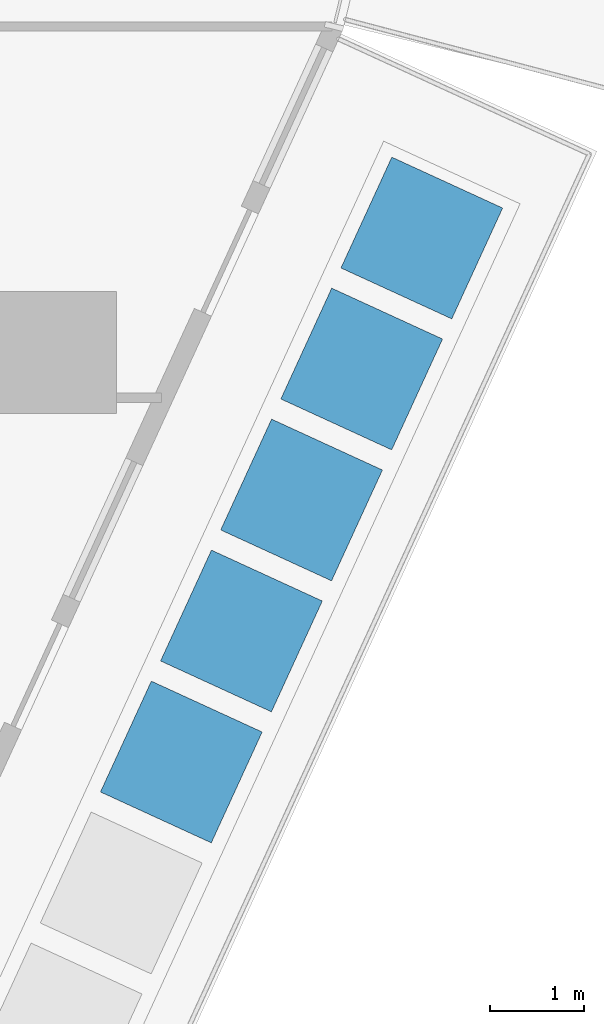
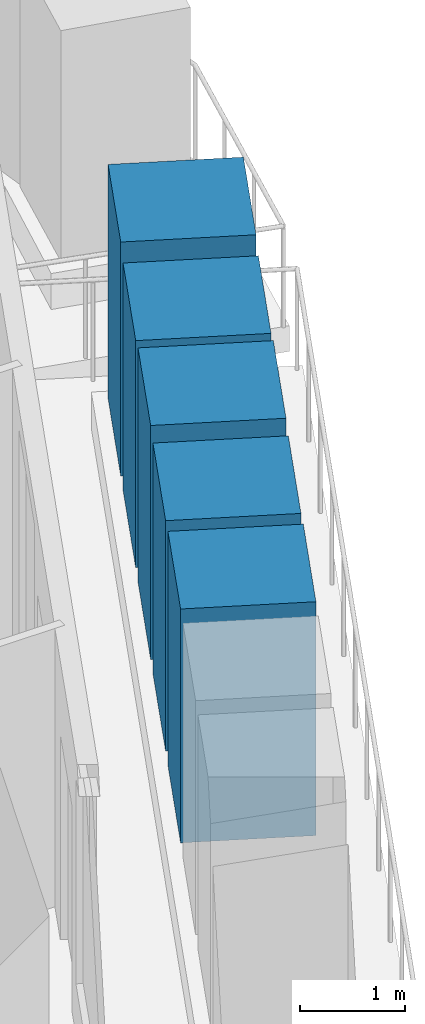
# One storey, part 5 of 24: 5 members.
"""IFC4 building model written with IfcOpenShell, lengths in metres."""

import ifcopenshell
import ifcopenshell.guid

model = None  # the IFC model being written
_history = None  # IfcOwnerHistory: only IFC2X3 demands one
_inside = {}  # id of a spatial element -> (the spatial element, [elements in it])
_under = {}  # id of a project, library or spatial element -> (it, [spatial elements below it])
_declared = {}  # id of a project -> (the project, [libraries it declares])
_typed = {}  # id of a type object -> (the type object, [elements of that type])
_made_of = {}  # id of a material, layer set ... -> (it, [elements and type objects made of it])


def new_model(schema):
    """Start an empty IFC model of exactly this schema.

    Asked for "IFC4X3", IfcOpenShell would pick the latest addendum, in which some entities
    have other attributes; the version numbers below select the first issue.
    IFC2X3 requires an IfcOwnerHistory on every rooted entity: one is made here for all.
    """
    global model, _history
    if schema == "IFC4X3":
        model = ifcopenshell.file(schema_version=(4, 3, 0, 0))
    else:
        model = ifcopenshell.file(schema=schema)
    _inside.clear()
    _under.clear()
    _declared.clear()
    _typed.clear()
    _made_of.clear()
    _history = None
    if model.schema == "IFC2X3":
        org = make("IfcOrganization", Name="unknown")
        user = make(
            "IfcPersonAndOrganization",
            ThePerson=make("IfcPerson", FamilyName="unknown"),
            TheOrganization=org,
        )
        app = make(
            "IfcApplication",
            ApplicationDeveloper=org,
            Version="unknown",
            ApplicationFullName="unknown",
            ApplicationIdentifier="unknown",
        )
        _history = make(
            "IfcOwnerHistory",
            OwningUser=user,
            OwningApplication=app,
            ChangeAction="ADDED",
            CreationDate=0,
        )
    return model


def make(cls, **values):
    """One entity of the class cls with the attributes given. An attribute that is None is left unset."""
    return model.create_entity(
        cls, **{name: value for name, value in values.items() if value is not None}
    )


def rooted(cls, **values):
    """An entity with a GlobalId (a new one), such as an element, a storey or a relation."""
    return make(cls, GlobalId=ifcopenshell.guid.new(), OwnerHistory=_history, **values)


def si_unit(unit_type, name, prefix=None):
    """IfcSIUnit, for example si_unit("LENGTHUNIT", "METRE", prefix="MILLI")."""
    return make("IfcSIUnit", UnitType=unit_type, Prefix=prefix, Name=name)


def assignment(units):
    """IfcUnitAssignment: the units of a project."""
    return None if units is None else make("IfcUnitAssignment", Units=units)


def point(xyz):
    """IfcCartesianPoint."""
    return None if xyz is None else make("IfcCartesianPoint", Coordinates=xyz)


def direction(xyz):
    """IfcDirection."""
    return None if xyz is None else make("IfcDirection", DirectionRatios=xyz)


def frame(location, z_axis=None, x_axis=None):
    """IfcAxis2Placement3D, a coordinate frame: its origin and axes. An axis left out is left unset."""
    return make(
        "IfcAxis2Placement3D",
        Location=point(location),
        Axis=direction(z_axis),
        RefDirection=direction(x_axis),
    )


def frame_2d(location, x_axis=None):
    """IfcAxis2Placement2D, a coordinate frame in the plane: its origin and x axis."""
    return make(
        "IfcAxis2Placement2D", Location=point(location), RefDirection=direction(x_axis)
    )


def origin():
    """The frame at (0, 0, 0) with its axes left unset."""
    return frame((0.0, 0.0, 0.0))


def origin_2d():
    """The frame at (0, 0) in the plane with its x axis left unset."""
    return frame_2d((0.0, 0.0))


def place(relative_to, where):
    """IfcLocalPlacement: puts the frame where relative to a parent placement (None: the world)."""
    return make(
        "IfcLocalPlacement", PlacementRelTo=relative_to, RelativePlacement=where
    )


def context(
    kind, dimensions, precision=None, world=None, true_north=None, identifier=None
):
    """IfcGeometricRepresentationContext, for example the 3D "Model" context."""
    return make(
        "IfcGeometricRepresentationContext",
        ContextIdentifier=identifier,
        ContextType=kind,
        CoordinateSpaceDimension=dimensions,
        Precision=precision,
        WorldCoordinateSystem=world,
        TrueNorth=true_north,
    )


def subcontext(parent, identifier, kind, view, scale=None):
    """IfcGeometricRepresentationSubContext, for example "Body" below "Model"."""
    return make(
        "IfcGeometricRepresentationSubContext",
        ContextIdentifier=identifier,
        ContextType=kind,
        ParentContext=parent,
        TargetScale=scale,
        TargetView=view,
    )


def project(units=None, contexts=None):
    """IfcProject with its units and contexts."""
    return rooted(
        "IfcProject",
        Name="project",
        RepresentationContexts=contexts,
        UnitsInContext=assignment(units),
    )


def spatial(cls, under=None, at=None, **own):
    """A site, building, storey or space (cls), placed at a placement, below another one or the project."""
    s = rooted(cls, ObjectPlacement=at, **own)
    if under is not None:
        _under.setdefault(under.id(), (under, []))[1].append(s)
    return s


def profile(cls, at=None, kind="AREA", **sizes):
    """A parametric profile (cls). Its sizes go by their IFC names, for example OverallWidth=200.0."""
    return make(cls, ProfileType=kind, Position=at, **sizes)


def rectangle(**sizes):
    """IfcRectangleProfileDef."""
    return profile("IfcRectangleProfileDef", **sizes)


def extrude(swept, where, along, depth):
    """IfcExtrudedAreaSolid: the profile swept, set in the frame where, extruded along a direction by depth."""
    return make(
        "IfcExtrudedAreaSolid",
        SweptArea=swept,
        Position=where,
        ExtrudedDirection=direction(along),
        Depth=depth,
    )


def shape(context_of_items, identifier, shape_type, items):
    """IfcShapeRepresentation: the items that make up one representation, for example the "Body"."""
    return make(
        "IfcShapeRepresentation",
        ContextOfItems=context_of_items,
        RepresentationIdentifier=identifier,
        RepresentationType=shape_type,
        Items=items,
    )


def material(Name=None, Category=None):
    """IfcMaterial."""
    return make("IfcMaterial", Name=Name, Category=Category)


def material_profile(
    of_material, cross_section, Name=None, Category=None, Priority=None
):
    """IfcMaterialProfile: a cross section and its material."""
    return make(
        "IfcMaterialProfile",
        Name=Name,
        Material=of_material,
        Profile=cross_section,
        Priority=Priority,
        Category=Category,
    )


def profile_set(profiles, Name=None, composite=None):
    """IfcMaterialProfileSet."""
    return make(
        "IfcMaterialProfileSet",
        Name=Name,
        MaterialProfiles=profiles,
        CompositeProfile=composite,
    )


def made_of(thing, what):
    """Note that an element or type object is made of a material, layer set ...; save() writes the relation."""
    if what is not None:
        _made_of.setdefault(what.id(), (what, []))[1].append(thing)
    return thing


def type_object(cls, material=None, **own):
    """A type object (cls), such as IfcWallType, which elements share."""
    return made_of(rooted(cls, **own), material)


def element(
    cls,
    number,
    at=None,
    inside=None,
    cuts=None,
    type_object=None,
    material=None,
    context=None,
    identifier="Body",
    shape_type=None,
    held_by="IfcProductDefinitionShape",
    body=None,
    shapes=None,
    **own,
):
    """One element of the class cls, such as IfcWall. Its Tag is "e" and its number.

    at: its placement. inside: the storey or other place that contains it. cuts: it is an
    opening in that element (IfcRelVoidsElement). A single representation is given by context,
    identifier, shape_type and body (its items); several are given by shapes. held_by: the class
    of the entity that holds the representations. save() writes the other relations.
    """
    e = rooted(cls, Tag="e%d" % number, ObjectPlacement=at, **own)
    if body is not None:
        shapes = [shape(context, identifier, shape_type, body)]
    if shapes is not None:
        e.Representation = make(held_by, Representations=shapes)
    if inside is not None:
        _inside.setdefault(inside.id(), (inside, []))[1].append(e)
    if cuts is not None:
        rooted(
            "IfcRelVoidsElement", RelatingBuildingElement=cuts, RelatedOpeningElement=e
        )
    if type_object is not None:
        _typed.setdefault(type_object.id(), (type_object, []))[1].append(e)
    return made_of(e, material)


def aggregate(whole, parts):
    """IfcRelAggregates: a whole, such as a stair, and the parts it consists of."""
    return rooted("IfcRelAggregates", RelatingObject=whole, RelatedObjects=parts)


def save(model, path):
    """Write the relations noted so far, then the file.

    IfcRelAggregates (storeys below a building ...), IfcRelContainedInSpatialStructure (elements
    in a storey), IfcRelDefinesByType, IfcRelAssociatesMaterial and IfcRelDeclares: one each for
    every whole, place, type object, material and project.
    """
    for whole, parts in _under.values():
        aggregate(whole, parts)
    for where, things in _inside.values():
        rooted(
            "IfcRelContainedInSpatialStructure",
            RelatedElements=things,
            RelatingStructure=where,
        )
    for kind, things in _typed.values():
        rooted("IfcRelDefinesByType", RelatedObjects=things, RelatingType=kind)
    for what, things in _made_of.values():
        rooted("IfcRelAssociatesMaterial", RelatedObjects=things, RelatingMaterial=what)
    for by, libraries in _declared.values():
        rooted("IfcRelDeclares", RelatingContext=by, RelatedDefinitions=libraries)
    model.write(path)


model = new_model("IFC4")

# Units and contexts
model_context = context("Model", 3, precision=1e-05, world=origin(), true_north=direction((0.0, 1.0)))
body_context = subcontext(model_context, "Body", "Model", "MODEL_VIEW")
ifc_project = project(units=[si_unit("LENGTHUNIT", "METRE"), si_unit("AREAUNIT", "SQUARE_METRE"), si_unit("VOLUMEUNIT", "CUBIC_METRE"), si_unit("PLANEANGLEUNIT", "RADIAN"), si_unit("MASSUNIT", "GRAM", prefix="KILO")], contexts=[model_context])

# Site, building, storey
site_placement = place(None, origin())
site = spatial("IfcSite", under=ifc_project, at=site_placement, CompositionType="ELEMENT")
building_placement = place(site_placement, origin())
building = spatial("IfcBuilding", under=site, at=building_placement, Name="Dongbaek Canopy Tower", CompositionType="ELEMENT")
storey_placement = place(building_placement, frame((0.0, 0.0, 98.89990234375)))
storey = spatial("IfcBuildingStorey", under=building, at=storey_placement, Name="L20", CompositionType="ELEMENT", Elevation=98.89990234375)

# Members
ifc_material = material(Name="Concrete C40/50 planter mass with planting", Category="concrete")
ifc_material_profile = material_profile(ifc_material, rectangle(XDim=1.300048828125, YDim=1.300048828125, at=origin_2d()), Name="Terrace PLANTER shrub mass 1300 x 1300")
ifc_profile_set = profile_set([ifc_material_profile], Name="Concrete C40/50 planter mass with planting")
member_type = type_object("IfcMemberType", Name="Terrace PLANTER shrub mass 1300 x 1300", PredefinedType="USERDEFINED", material=ifc_profile_set)
member_1_placement = place(storey_placement, frame((28.7783203125, -4.52880859375, 0.420166015625), z_axis=(0.0, 0.0, 1.0), x_axis=(0.908848678728, -0.417125975185, 0.0)))
element("IfcMember", 1, at=member_1_placement, inside=storey, type_object=member_type, Name="Planter shrubs L20 5.9", ObjectType="PLANTER", PredefinedType="USERDEFINED", context=body_context, shape_type="SweptSolid", body=[
    extrude(rectangle(XDim=1.300048828125, YDim=1.300048828125, at=origin_2d()), origin(), (0.0, 0.0, 1.0), 2.72998046875),
])
member_2_placement = place(storey_placement, frame((29.419189453125, -3.132568359375, 0.420166015625), z_axis=(0.0, 0.0, 1.0), x_axis=(0.908848678728, -0.417125975185, 0.0)))
element("IfcMember", 2, at=member_2_placement, inside=storey, type_object=member_type, Name="Planter shrubs L20 5.10", ObjectType="PLANTER", PredefinedType="USERDEFINED", context=body_context, shape_type="SweptSolid", body=[
    extrude(rectangle(XDim=1.300048828125, YDim=1.300048828125, at=origin_2d()), origin(), (0.0, 0.0, 1.0), 2.68994140625),
])
member_3_placement = place(storey_placement, frame((30.06005859375, -1.736328125, 0.420166015625), z_axis=(0.0, 0.0, 1.0), x_axis=(0.908848678728, -0.417125975185, 0.0)))
element("IfcMember", 3, at=member_3_placement, inside=storey, type_object=member_type, Name="Planter shrubs L20 5.11", ObjectType="PLANTER", PredefinedType="USERDEFINED", context=body_context, shape_type="SweptSolid", body=[
    extrude(rectangle(XDim=1.300048828125, YDim=1.300048828125, at=origin_2d()), origin(), (0.0, 0.0, 1.0), 2.72998046875),
])
member_4_placement = place(storey_placement, frame((30.700927734375, -0.34033203125, 0.420166015625), z_axis=(0.0, 0.0, 1.0), x_axis=(0.908848678728, -0.417125975185, 0.0)))
element("IfcMember", 4, at=member_4_placement, inside=storey, type_object=member_type, Name="Planter shrubs L20 5.12", ObjectType="PLANTER", PredefinedType="USERDEFINED", context=body_context, shape_type="SweptSolid", body=[
    extrude(rectangle(XDim=1.300048828125, YDim=1.300048828125, at=origin_2d()), origin(), (0.0, 0.0, 1.0), 2.64990234375),
])
member_5_placement = place(storey_placement, frame((31.341552734375, 1.055908203125, 0.420166015625), z_axis=(0.0, 0.0, 1.0), x_axis=(0.908848678728, -0.417125975185, 0.0)))
element("IfcMember", 5, at=member_5_placement, inside=storey, type_object=member_type, Name="Planter shrubs L20 5.13", ObjectType="PLANTER", PredefinedType="USERDEFINED", context=body_context, shape_type="SweptSolid", body=[
    extrude(rectangle(XDim=1.300048828125, YDim=1.300048828125, at=origin_2d()), origin(), (0.0, 0.0, 1.0), 2.72998046875),
])

save(model, "model.ifc")
